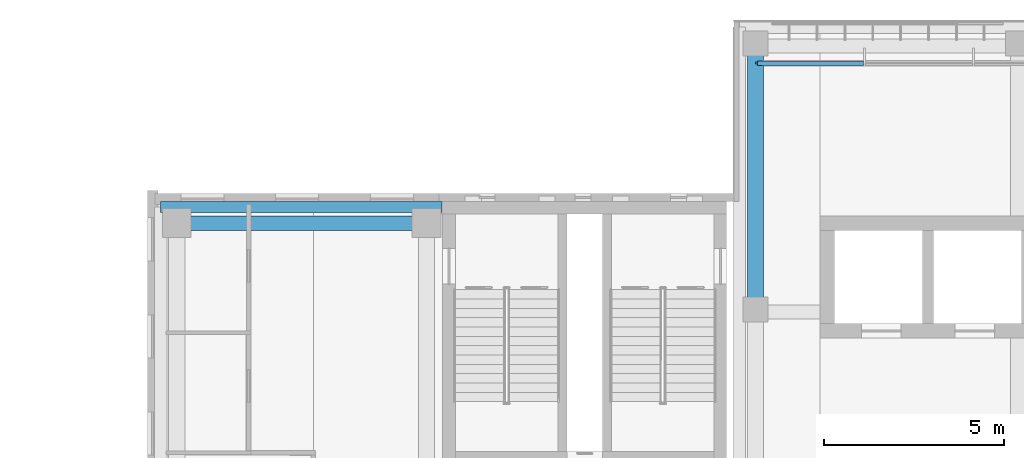
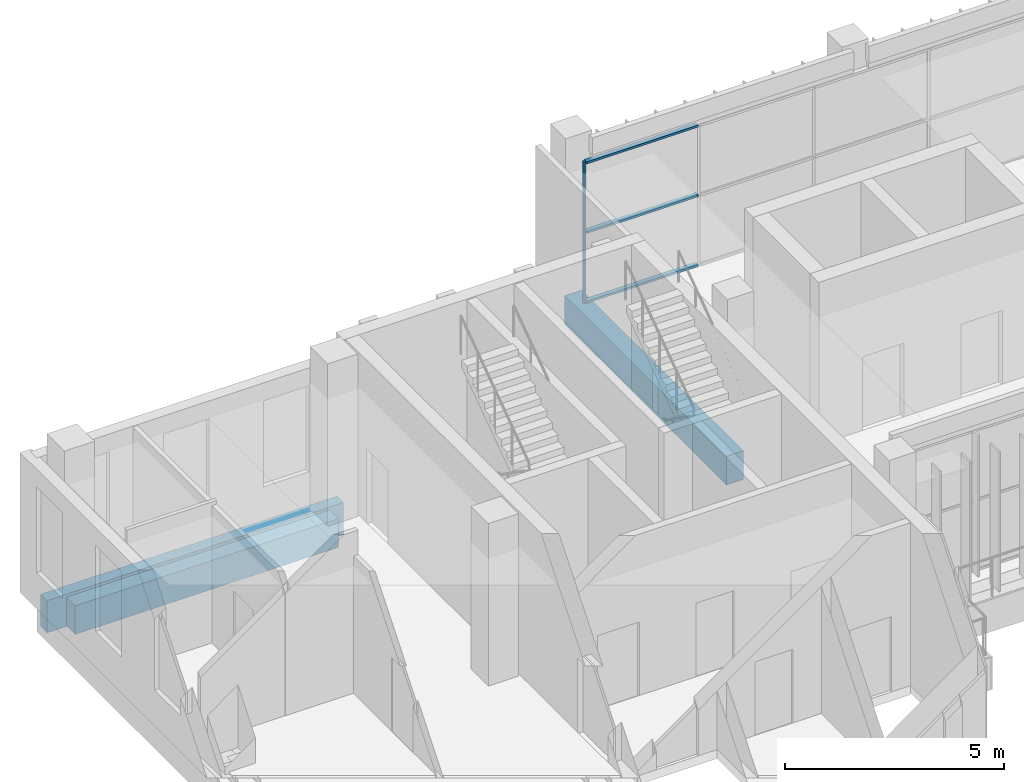
# One storey, part 20 of 73: 4 members, 3 beams, 1 element without a shape of its own.
"""IFC4 building model written with IfcOpenShell, lengths in metres."""

import ifcopenshell
import ifcopenshell.guid

model = None  # the IFC model being written
_history = None  # IfcOwnerHistory: only IFC2X3 demands one
_inside = {}  # id of a spatial element -> (the spatial element, [elements in it])
_under = {}  # id of a project, library or spatial element -> (it, [spatial elements below it])
_declared = {}  # id of a project -> (the project, [libraries it declares])
_typed = {}  # id of a type object -> (the type object, [elements of that type])
_made_of = {}  # id of a material, layer set ... -> (it, [elements and type objects made of it])


def new_model(schema):
    """Start an empty IFC model of exactly this schema.

    Asked for "IFC4X3", IfcOpenShell would pick the latest addendum, in which some entities
    have other attributes; the version numbers below select the first issue.
    IFC2X3 requires an IfcOwnerHistory on every rooted entity: one is made here for all.
    """
    global model, _history
    if schema == "IFC4X3":
        model = ifcopenshell.file(schema_version=(4, 3, 0, 0))
    else:
        model = ifcopenshell.file(schema=schema)
    _inside.clear()
    _under.clear()
    _declared.clear()
    _typed.clear()
    _made_of.clear()
    _history = None
    if model.schema == "IFC2X3":
        org = make("IfcOrganization", Name="unknown")
        user = make(
            "IfcPersonAndOrganization",
            ThePerson=make("IfcPerson", FamilyName="unknown"),
            TheOrganization=org,
        )
        app = make(
            "IfcApplication",
            ApplicationDeveloper=org,
            Version="unknown",
            ApplicationFullName="unknown",
            ApplicationIdentifier="unknown",
        )
        _history = make(
            "IfcOwnerHistory",
            OwningUser=user,
            OwningApplication=app,
            ChangeAction="ADDED",
            CreationDate=0,
        )
    return model


def make(cls, **values):
    """One entity of the class cls with the attributes given. An attribute that is None is left unset."""
    return model.create_entity(
        cls, **{name: value for name, value in values.items() if value is not None}
    )


def rooted(cls, **values):
    """An entity with a GlobalId (a new one), such as an element, a storey or a relation."""
    return make(cls, GlobalId=ifcopenshell.guid.new(), OwnerHistory=_history, **values)


def si_unit(unit_type, name, prefix=None):
    """IfcSIUnit, for example si_unit("LENGTHUNIT", "METRE", prefix="MILLI")."""
    return make("IfcSIUnit", UnitType=unit_type, Prefix=prefix, Name=name)


def assignment(units):
    """IfcUnitAssignment: the units of a project."""
    return None if units is None else make("IfcUnitAssignment", Units=units)


def point(xyz):
    """IfcCartesianPoint."""
    return None if xyz is None else make("IfcCartesianPoint", Coordinates=xyz)


def direction(xyz):
    """IfcDirection."""
    return None if xyz is None else make("IfcDirection", DirectionRatios=xyz)


def frame(location, z_axis=None, x_axis=None):
    """IfcAxis2Placement3D, a coordinate frame: its origin and axes. An axis left out is left unset."""
    return make(
        "IfcAxis2Placement3D",
        Location=point(location),
        Axis=direction(z_axis),
        RefDirection=direction(x_axis),
    )


def frame_2d(location, x_axis=None):
    """IfcAxis2Placement2D, a coordinate frame in the plane: its origin and x axis."""
    return make(
        "IfcAxis2Placement2D", Location=point(location), RefDirection=direction(x_axis)
    )


def origin():
    """The frame at (0, 0, 0) with its axes left unset."""
    return frame((0.0, 0.0, 0.0))


def origin_2d():
    """The frame at (0, 0) in the plane with its x axis left unset."""
    return frame_2d((0.0, 0.0))


def place(relative_to, where):
    """IfcLocalPlacement: puts the frame where relative to a parent placement (None: the world)."""
    return make(
        "IfcLocalPlacement", PlacementRelTo=relative_to, RelativePlacement=where
    )


def context(
    kind, dimensions, precision=None, world=None, true_north=None, identifier=None
):
    """IfcGeometricRepresentationContext, for example the 3D "Model" context."""
    return make(
        "IfcGeometricRepresentationContext",
        ContextIdentifier=identifier,
        ContextType=kind,
        CoordinateSpaceDimension=dimensions,
        Precision=precision,
        WorldCoordinateSystem=world,
        TrueNorth=true_north,
    )


def subcontext(parent, identifier, kind, view, scale=None):
    """IfcGeometricRepresentationSubContext, for example "Body" below "Model"."""
    return make(
        "IfcGeometricRepresentationSubContext",
        ContextIdentifier=identifier,
        ContextType=kind,
        ParentContext=parent,
        TargetScale=scale,
        TargetView=view,
    )


def project(units=None, contexts=None):
    """IfcProject with its units and contexts."""
    return rooted(
        "IfcProject",
        Name="project",
        RepresentationContexts=contexts,
        UnitsInContext=assignment(units),
    )


def spatial(cls, under=None, at=None, **own):
    """A site, building, storey or space (cls), placed at a placement, below another one or the project."""
    s = rooted(cls, ObjectPlacement=at, **own)
    if under is not None:
        _under.setdefault(under.id(), (under, []))[1].append(s)
    return s


def profile(cls, at=None, kind="AREA", **sizes):
    """A parametric profile (cls). Its sizes go by their IFC names, for example OverallWidth=200.0."""
    return make(cls, ProfileType=kind, Position=at, **sizes)


def rectangle(**sizes):
    """IfcRectangleProfileDef."""
    return profile("IfcRectangleProfileDef", **sizes)


def extrude(swept, where, along, depth):
    """IfcExtrudedAreaSolid: the profile swept, set in the frame where, extruded along a direction by depth."""
    return make(
        "IfcExtrudedAreaSolid",
        SweptArea=swept,
        Position=where,
        ExtrudedDirection=direction(along),
        Depth=depth,
    )


def shape(context_of_items, identifier, shape_type, items):
    """IfcShapeRepresentation: the items that make up one representation, for example the "Body"."""
    return make(
        "IfcShapeRepresentation",
        ContextOfItems=context_of_items,
        RepresentationIdentifier=identifier,
        RepresentationType=shape_type,
        Items=items,
    )


def material(Name=None, Category=None):
    """IfcMaterial."""
    return make("IfcMaterial", Name=Name, Category=Category)


def material_profile(
    of_material, cross_section, Name=None, Category=None, Priority=None
):
    """IfcMaterialProfile: a cross section and its material."""
    return make(
        "IfcMaterialProfile",
        Name=Name,
        Material=of_material,
        Profile=cross_section,
        Priority=Priority,
        Category=Category,
    )


def profile_set(profiles, Name=None, composite=None):
    """IfcMaterialProfileSet."""
    return make(
        "IfcMaterialProfileSet",
        Name=Name,
        MaterialProfiles=profiles,
        CompositeProfile=composite,
    )


def made_of(thing, what):
    """Note that an element or type object is made of a material, layer set ...; save() writes the relation."""
    if what is not None:
        _made_of.setdefault(what.id(), (what, []))[1].append(thing)
    return thing


def type_object(cls, material=None, **own):
    """A type object (cls), such as IfcWallType, which elements share."""
    return made_of(rooted(cls, **own), material)


def element(
    cls,
    number,
    at=None,
    inside=None,
    cuts=None,
    type_object=None,
    material=None,
    context=None,
    identifier="Body",
    shape_type=None,
    held_by="IfcProductDefinitionShape",
    body=None,
    shapes=None,
    **own,
):
    """One element of the class cls, such as IfcWall. Its Tag is "e" and its number.

    at: its placement. inside: the storey or other place that contains it. cuts: it is an
    opening in that element (IfcRelVoidsElement). A single representation is given by context,
    identifier, shape_type and body (its items); several are given by shapes. held_by: the class
    of the entity that holds the representations. save() writes the other relations.
    """
    e = rooted(cls, Tag="e%d" % number, ObjectPlacement=at, **own)
    if body is not None:
        shapes = [shape(context, identifier, shape_type, body)]
    if shapes is not None:
        e.Representation = make(held_by, Representations=shapes)
    if inside is not None:
        _inside.setdefault(inside.id(), (inside, []))[1].append(e)
    if cuts is not None:
        rooted(
            "IfcRelVoidsElement", RelatingBuildingElement=cuts, RelatedOpeningElement=e
        )
    if type_object is not None:
        _typed.setdefault(type_object.id(), (type_object, []))[1].append(e)
    return made_of(e, material)


def aggregate(whole, parts):
    """IfcRelAggregates: a whole, such as a stair, and the parts it consists of."""
    return rooted("IfcRelAggregates", RelatingObject=whole, RelatedObjects=parts)


def save(model, path):
    """Write the relations noted so far, then the file.

    IfcRelAggregates (storeys below a building ...), IfcRelContainedInSpatialStructure (elements
    in a storey), IfcRelDefinesByType, IfcRelAssociatesMaterial and IfcRelDeclares: one each for
    every whole, place, type object, material and project.
    """
    for whole, parts in _under.values():
        aggregate(whole, parts)
    for where, things in _inside.values():
        rooted(
            "IfcRelContainedInSpatialStructure",
            RelatedElements=things,
            RelatingStructure=where,
        )
    for kind, things in _typed.values():
        rooted("IfcRelDefinesByType", RelatedObjects=things, RelatingType=kind)
    for what, things in _made_of.values():
        rooted("IfcRelAssociatesMaterial", RelatedObjects=things, RelatingMaterial=what)
    for by, libraries in _declared.values():
        rooted("IfcRelDeclares", RelatingContext=by, RelatedDefinitions=libraries)
    model.write(path)


model = new_model("IFC4")

# Units and contexts
model_context = context("Model", 3, precision=1e-05, world=origin(), true_north=direction((0.0, 1.0)))
body_context = subcontext(model_context, "Body", "Model", "MODEL_VIEW")
ifc_project = project(units=[si_unit("LENGTHUNIT", "METRE"), si_unit("AREAUNIT", "SQUARE_METRE"), si_unit("VOLUMEUNIT", "CUBIC_METRE"), si_unit("PLANEANGLEUNIT", "RADIAN"), si_unit("MASSUNIT", "GRAM", prefix="KILO")], contexts=[model_context])

# Site, building, storey
site_placement = place(None, origin())
site = spatial("IfcSite", under=ifc_project, at=site_placement, CompositionType="ELEMENT")
building_placement = place(site_placement, origin())
building = spatial("IfcBuilding", under=site, at=building_placement, Name="Lantern Court Media Centre", CompositionType="ELEMENT")
storey_placement = place(building_placement, frame((0.0, 0.0, 24.0)))
storey = spatial("IfcBuildingStorey", under=building, at=storey_placement, Name="L05", CompositionType="ELEMENT", Elevation=24.0)

# Curtain wall, members
ifc_material_1 = material(Name="Curtain wall bay 3000")
curtain_wall_type = type_object("IfcCurtainWallType", Name="Curtain wall bay 3000", PredefinedType="NOTDEFINED", material=ifc_material_1)
curtain_wall_placement = place(storey_placement, origin())
curtain_wall = element("IfcCurtainWall", 1, at=curtain_wall_placement, inside=storey, type_object=curtain_wall_type, Name="Curtain wall N outer L05", PredefinedType="NOTDEFINED")
ifc_material_2 = material(Name="Anodised aluminium", Category="aluminium")
ifc_material_profile_1 = material_profile(ifc_material_2, rectangle(XDim=0.06005859375, YDim=0.06005859375, at=origin_2d()), Name="AL 60x60")
ifc_profile_set_1 = profile_set([ifc_material_profile_1], Name="Anodised aluminium")
member_type_1 = type_object("IfcMemberType", Name="Curtain wall mullion 60x60", PredefinedType="MULLION", material=ifc_profile_set_1)
member_1_placement = place(storey_placement, frame((24.72998046875, 115.85009765625, 0.0), z_axis=(0.0, 0.0, 1.0), x_axis=(0.0, 1.0, 0.0)))
member_1 = element("IfcMember", 2, at=member_1_placement, type_object=member_type_1, Name="CW1 mullion 1", PredefinedType="MULLION", context=body_context, shape_type="SweptSolid", body=[
    extrude(rectangle(XDim=0.06005859375, YDim=0.06005859375, at=origin_2d()), origin(), (0.0, 0.0, 1.0), 3.949951171875),
])
ifc_material_profile_2 = material_profile(ifc_material_2, rectangle(XDim=0.1201171875, YDim=0.06005859375, at=origin_2d()), Name="AL 60x120")
ifc_profile_set_2 = profile_set([ifc_material_profile_2], Name="Anodised aluminium")
member_type_2 = type_object("IfcMemberType", Name="Curtain wall transom 60x120", PredefinedType="USERDEFINED", material=ifc_profile_set_2)
member_2_placement = place(storey_placement, frame((24.760009765625, 115.85009765625, 0.030029296875), z_axis=(1.0, 0.0, 0.0), x_axis=(0.0, 1.0, 0.0)))
member_2 = element("IfcMember", 3, at=member_2_placement, type_object=member_type_2, Name="CW1 transom 1.1", ObjectType="TRANSOM", PredefinedType="USERDEFINED", context=body_context, shape_type="SweptSolid", body=[
    extrude(rectangle(XDim=0.1201171875, YDim=0.06005859375, at=origin_2d()), origin(), (0.0, 0.0, 1.0), 2.943359375),
])
member_3_placement = place(storey_placement, frame((24.760009765625, 115.85009765625, 1.97509765625), z_axis=(1.0, 0.0, 0.0), x_axis=(0.0, 1.0, 0.0)))
member_3 = element("IfcMember", 4, at=member_3_placement, type_object=member_type_2, Name="CW1 transom 1.2", ObjectType="TRANSOM", PredefinedType="USERDEFINED", context=body_context, shape_type="SweptSolid", body=[
    extrude(rectangle(XDim=0.1201171875, YDim=0.06005859375, at=origin_2d()), origin(), (0.0, 0.0, 1.0), 2.943359375),
])
member_4_placement = place(storey_placement, frame((24.760009765625, 115.85009765625, 3.919921875), z_axis=(1.0, 0.0, 0.0), x_axis=(0.0, 1.0, 0.0)))
member_4 = element("IfcMember", 5, at=member_4_placement, type_object=member_type_2, Name="CW1 transom 1.3", ObjectType="TRANSOM", PredefinedType="USERDEFINED", context=body_context, shape_type="SweptSolid", body=[
    extrude(rectangle(XDim=0.1201171875, YDim=0.06005859375, at=origin_2d()), origin(), (0.0, 0.0, 1.0), 2.943359375),
])
aggregate(curtain_wall, [member_1, member_2, member_3, member_4])

# Beams
ifc_material_3 = material(Name="Concrete C35", Category="concrete")
ifc_material_profile_3 = material_profile(ifc_material_3, rectangle(XDim=0.300048828125, YDim=0.89990234375, at=origin_2d()), Name="RC 300x900")
ifc_profile_set_3 = profile_set([ifc_material_profile_3], Name="Concrete C35")
beam_type_1 = type_object("IfcBeamType", Name="RC BEAM 300x900", PredefinedType="BEAM", material=ifc_profile_set_3)
beam_1_placement = place(storey_placement, frame((8.14990234375, 111.85009765625, -0.449951171875), z_axis=(1.0, 0.0, 0.0), x_axis=(0.0, 1.0, 0.0)))
element("IfcBeam", 6, at=beam_1_placement, inside=storey, type_object=beam_type_1, Name="EB-NW-L05-N", PredefinedType="BEAM", context=body_context, shape_type="SweptSolid", body=[
    extrude(rectangle(XDim=0.300048828125, YDim=0.89990234375, at=origin_2d()), origin(), (0.0, 0.0, 1.0), 7.830078125),
])
ifc_material_profile_4 = material_profile(ifc_material_3, rectangle(XDim=0.39990234375, YDim=0.800048828125, at=origin_2d()), Name="RC 400x800")
ifc_profile_set_4 = profile_set([ifc_material_profile_4], Name="Concrete C35")
beam_type_2 = type_object("IfcBeamType", Name="RC BEAM 400x800", PredefinedType="BEAM", material=ifc_profile_set_4)
beam_2_placement = place(storey_placement, frame((8.60009765625, 111.39990234375, -0.39990234375), z_axis=(1.0, 0.0, 0.0), x_axis=(0.0, 1.0, 0.0)))
element("IfcBeam", 7, at=beam_2_placement, inside=storey, type_object=beam_type_2, Name="BB-NW-L05-Y0-111", PredefinedType="BEAM", context=body_context, shape_type="SweptSolid", body=[
    extrude(rectangle(XDim=0.39990234375, YDim=0.800048828125, at=origin_2d()), origin(), (0.0, 0.0, 1.0), 6.949951171875),
])
ifc_material_profile_5 = material_profile(ifc_material_3, rectangle(XDim=0.449951171875, YDim=0.800048828125, at=origin_2d()), Name="RC 450x800")
ifc_profile_set_5 = profile_set([ifc_material_profile_5], Name="Concrete C35")
beam_type_3 = type_object("IfcBeamType", Name="RC BEAM 450x800", PredefinedType="BEAM", material=ifc_profile_set_5)
beam_3_placement = place(storey_placement, frame((24.699951171875, 108.916748046875, -0.39990234375), z_axis=(0.0, 1.0, 0.0), x_axis=(-1.0, 0.0, 0.0)))
element("IfcBeam", 8, at=beam_3_placement, inside=storey, type_object=beam_type_3, Name="TB-N-L05-0-2", PredefinedType="BEAM", context=body_context, shape_type="SweptSolid", body=[
    extrude(rectangle(XDim=0.449951171875, YDim=0.800048828125, at=origin_2d()), origin(), (0.0, 0.0, 1.0), 7.39990234375),
])

save(model, "model.ifc")
